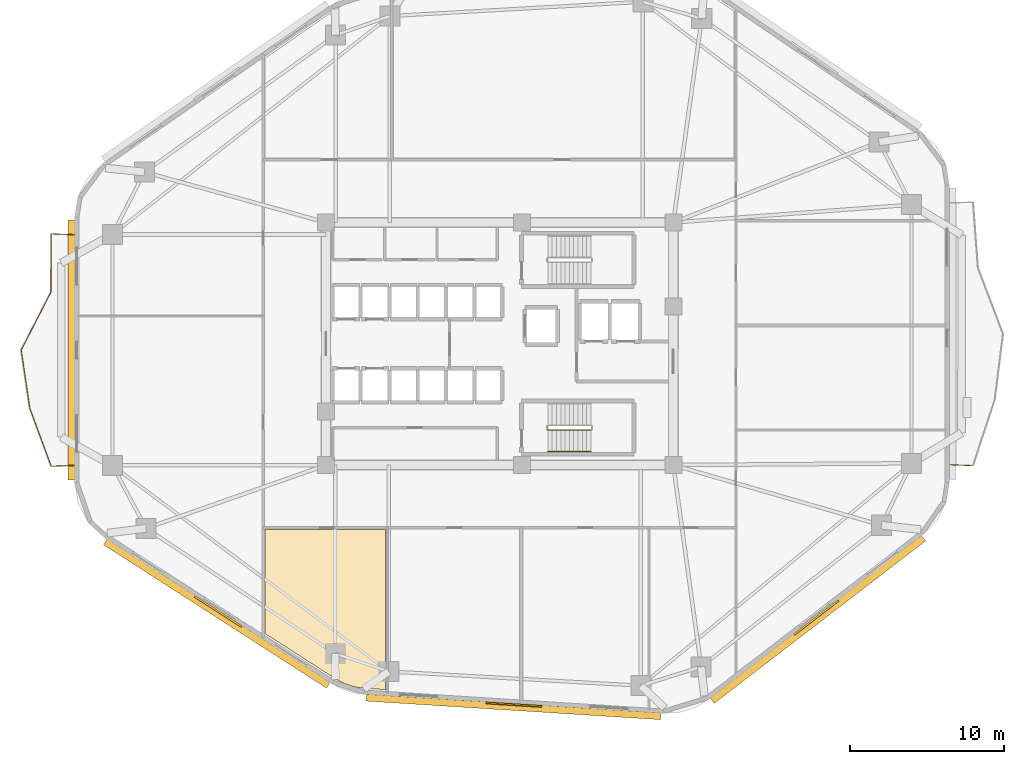
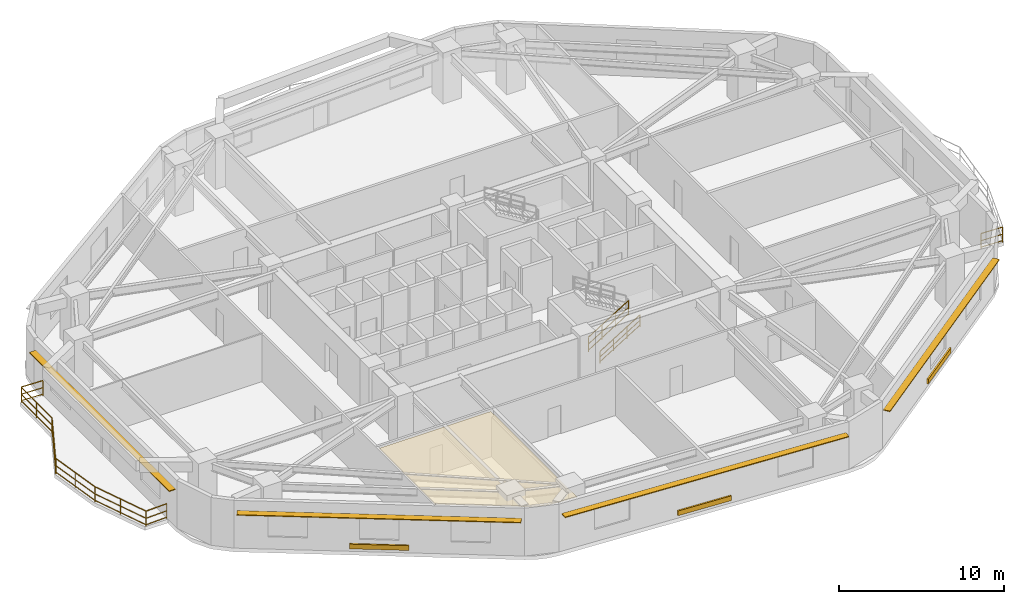
# One storey, part 7 of 9: 9 railings, 7 shading devices, 1 covering.
"""IFC4 building model written with IfcOpenShell, lengths in metres."""

from ifc_helpers import new_model, si_unit, direction, frame, origin, origin_2d, place, context, subcontext, project, spatial, polyline, rectangle, outline, extrude, material, layer, layer_set, type_object, element, save


model = new_model("IFC4")

# Units and contexts
model_context = context("Model", 3, precision=1e-05, world=origin(), true_north=direction((0.0, 1.0)))
body_context = subcontext(model_context, "Body", "Model", "MODEL_VIEW")
ifc_project = project(units=[si_unit("LENGTHUNIT", "METRE"), si_unit("AREAUNIT", "SQUARE_METRE"), si_unit("VOLUMEUNIT", "CUBIC_METRE"), si_unit("PLANEANGLEUNIT", "RADIAN"), si_unit("MASSUNIT", "GRAM", prefix="KILO")], contexts=[model_context])

# Site, building, storey
site_placement = place(None, origin())
site = spatial("IfcSite", under=ifc_project, at=site_placement, CompositionType="ELEMENT")
building_placement = place(site_placement, origin())
building = spatial("IfcBuilding", under=site, at=building_placement, Name="Zulverin Broadcast Headquarters", CompositionType="ELEMENT")
storey_placement = place(building_placement, frame((0.0, 0.0, 63.0)))
storey = spatial("IfcBuildingStorey", under=building, at=storey_placement, Name="L15", CompositionType="ELEMENT", Elevation=63.0)

# Covering
ifc_material_1 = material(Name="Perforated pale-metal acoustic baffle ceiling", Category="aluminium")
ifc_layer_1 = layer(ifc_material_1, 0.0400390625, Name="Perforated pale-metal acoustic baffle ceiling", Category="aluminium")
ifc_layer_set_1 = layer_set([ifc_layer_1], Name="Perforated pale-metal acoustic baffle ceiling")
covering_type = type_object("IfcCoveringType", Name="COV-CEIL-ACOU", PredefinedType="CEILING", material=ifc_layer_set_1)
covering_placement = place(storey_placement, frame((0.0, 0.0, 3.344970703125)))
element("IfcCovering", 1, at=covering_placement, inside=storey, type_object=covering_type, Name="L15 Acoustic Baffle Ceiling 03", PredefinedType="CEILING", context=body_context, shape_type="SweptSolid", body=[
    extrude(outline(polyline([(21.77197265625, 13.132080078125), (21.77197265625, 6.3759765625), (26.347900390625, 3.43603515625), (26.931884765625, 3.1279296875), (27.5439453125, 2.924072265625), (28.19189453125, 2.83203125), (29.580078125, 2.743896484375), (29.580078125, 13.132080078125), (21.77197265625, 13.132080078125)])), origin(), (0.0, 0.0, 1.0), 0.0400390625),
])

# Railings
ifc_material_2 = material(Name="Brushed stainless steel & laminated glass balustrade", Category="steel")
railing_type_1 = type_object("IfcRailingType", Name="RL-GUARD-1150", PredefinedType="GUARDRAIL", material=ifc_material_2)
railing_1_placement = place(storey_placement, frame((66.239990234375, 17.343505859375, 0.0)))
element("IfcRailing", 2, at=railing_1_placement, inside=storey, type_object=railing_type_1, Name="L15 Vertical-Forest Balcony Guardrail BAL_E Segment 01", PredefinedType="GUARDRAIL", context=body_context, shape_type="SweptSolid", body=[
    extrude(rectangle(XDim=0.048095703125, YDim=0.048095703125, at=origin_2d()), frame((0.0, 0.0, 1.1259765625), z_axis=(0.999174410196, -0.040626321628, 0.0), x_axis=(0.040626321628, 0.999174410196, 0.0)), (0.0, 0.0, 1.0), 1.46630859375),
    extrude(rectangle(XDim=0.0419921875, YDim=0.0419921875, at=origin_2d()), frame((0.0, 0.0, 0.597900390625), z_axis=(0.999174410196, -0.040626321628, 0.0), x_axis=(0.040626321628, 0.999174410196, 0.0)), (0.0, 0.0, 1.0), 1.46630859375),
    extrude(rectangle(XDim=0.0419921875, YDim=0.0419921875, at=origin_2d()), frame((0.0, 0.0, 0.1201171875), z_axis=(0.999174410196, -0.040626321628, 0.0), x_axis=(0.040626321628, 0.999174410196, 0.0)), (0.0, 0.0, 1.0), 1.46630859375),
    extrude(rectangle(XDim=0.0419921875, YDim=0.0419921875, at=origin_2d()), origin(), (0.0, 0.0, 1.0), 1.101806640625),
    extrude(rectangle(XDim=0.0419921875, YDim=0.0419921875, at=origin_2d()), frame((1.465087890625, -0.0595703125, 0.0)), (0.0, 0.0, 1.0), 1.101806640625),
])
railing_2_placement = place(storey_placement, frame((9.360107421875, 32.284423828125, 0.0)))
element("IfcRailing", 3, at=railing_2_placement, inside=storey, type_object=railing_type_1, Name="L15 Vertical-Forest Balcony Guardrail BAL_W Segment 01", PredefinedType="GUARDRAIL", context=body_context, shape_type="SweptSolid", body=[
    extrude(rectangle(XDim=0.048095703125, YDim=0.048095703125, at=origin_2d()), frame((0.0, 0.0, 1.1259765625), z_axis=(-0.999181155166, 0.040460093435, 0.0), x_axis=(-0.040460093435, -0.999181155166, 0.0)), (0.0, 0.0, 1.0), 1.46630859375),
    extrude(rectangle(XDim=0.0419921875, YDim=0.0419921875, at=origin_2d()), frame((0.0, 0.0, 0.597900390625), z_axis=(-0.999181155166, 0.040460093435, 0.0), x_axis=(-0.040460093435, -0.999181155166, 0.0)), (0.0, 0.0, 1.0), 1.46630859375),
    extrude(rectangle(XDim=0.0419921875, YDim=0.0419921875, at=origin_2d()), frame((0.0, 0.0, 0.1201171875), z_axis=(-0.999181155166, 0.040460093435, 0.0), x_axis=(-0.040460093435, -0.999181155166, 0.0)), (0.0, 0.0, 1.0), 1.46630859375),
    extrude(rectangle(XDim=0.0419921875, YDim=0.0419921875, at=origin_2d()), origin(), (0.0, 0.0, 1.0), 1.101806640625),
    extrude(rectangle(XDim=0.0419921875, YDim=0.0419921875, at=origin_2d()), frame((-1.465087890625, 0.059326171875, 0.0)), (0.0, 0.0, 1.0), 1.101806640625),
])
railing_3_placement = place(storey_placement, frame((7.8798828125, 32.329345703125, 0.0)))
element("IfcRailing", 4, at=railing_3_placement, inside=storey, type_object=railing_type_1, Name="L15 Vertical-Forest Balcony Guardrail BAL_W Segment 02", PredefinedType="GUARDRAIL", context=body_context, shape_type="SweptSolid", body=[
    extrude(rectangle(XDim=0.048095703125, YDim=0.048095703125, at=origin_2d()), frame((0.0, 0.0, 1.1259765625), z_axis=(-0.003911312976, -0.999992350786, 0.0), x_axis=(0.999992350786, -0.003911312976, 0.0)), (0.0, 0.0, 1.0), 3.7451171875),
    extrude(rectangle(XDim=0.0419921875, YDim=0.0419921875, at=origin_2d()), frame((0.0, 0.0, 0.597900390625), z_axis=(-0.003911312976, -0.999992350786, 0.0), x_axis=(0.999992350786, -0.003911312976, 0.0)), (0.0, 0.0, 1.0), 3.7451171875),
    extrude(rectangle(XDim=0.0419921875, YDim=0.0419921875, at=origin_2d()), frame((0.0, 0.0, 0.1201171875), z_axis=(-0.003911312976, -0.999992350786, 0.0), x_axis=(0.999992350786, -0.003911312976, 0.0)), (0.0, 0.0, 1.0), 3.7451171875),
    extrude(rectangle(XDim=0.0419921875, YDim=0.0419921875, at=origin_2d()), origin(), (0.0, 0.0, 1.0), 1.101806640625),
    extrude(rectangle(XDim=0.0419921875, YDim=0.0419921875, at=origin_2d()), frame((-0.00732421875, -1.87255859375, 0.0)), (0.0, 0.0, 1.0), 1.101806640625),
    extrude(rectangle(XDim=0.0419921875, YDim=0.0419921875, at=origin_2d()), frame((-0.0146484375, -3.7451171875, 0.0)), (0.0, 0.0, 1.0), 1.101806640625),
])
railing_4_placement = place(storey_placement, frame((7.8583984375, 28.555908203125, 0.0)))
element("IfcRailing", 5, at=railing_4_placement, inside=storey, type_object=railing_type_1, Name="L15 Vertical-Forest Balcony Guardrail BAL_W Segment 03", PredefinedType="GUARDRAIL", context=body_context, shape_type="SweptSolid", body=[
    extrude(rectangle(XDim=0.048095703125, YDim=0.048095703125, at=origin_2d()), frame((0.0, 0.0, 1.1259765625), z_axis=(-0.456186033924, -0.889884432077, 0.0), x_axis=(0.889884432077, -0.456186033924, 0.0)), (0.0, 0.0, 1.0), 4.21240234375),
    extrude(rectangle(XDim=0.0419921875, YDim=0.0419921875, at=origin_2d()), frame((0.0, 0.0, 0.597900390625), z_axis=(-0.456186033924, -0.889884432077, 0.0), x_axis=(0.889884432077, -0.456186033924, 0.0)), (0.0, 0.0, 1.0), 4.21240234375),
    extrude(rectangle(XDim=0.0419921875, YDim=0.0419921875, at=origin_2d()), frame((0.0, 0.0, 0.1201171875), z_axis=(-0.456186033924, -0.889884432077, 0.0), x_axis=(0.889884432077, -0.456186033924, 0.0)), (0.0, 0.0, 1.0), 4.21240234375),
    extrude(rectangle(XDim=0.0419921875, YDim=0.0419921875, at=origin_2d()), origin(), (0.0, 0.0, 1.0), 1.101806640625),
    extrude(rectangle(XDim=0.0419921875, YDim=0.0419921875, at=origin_2d()), frame((-0.9609375, -1.874267578125, 0.0)), (0.0, 0.0, 1.0), 1.101806640625),
    extrude(rectangle(XDim=0.0419921875, YDim=0.0419921875, at=origin_2d()), frame((-1.921630859375, -3.74853515625, 0.0)), (0.0, 0.0, 1.0), 1.101806640625),
])
railing_5_placement = place(storey_placement, frame((5.93212890625, 24.779296875, 0.0)))
element("IfcRailing", 6, at=railing_5_placement, inside=storey, type_object=railing_type_1, Name="L15 Vertical-Forest Balcony Guardrail BAL_W Segment 04", PredefinedType="GUARDRAIL", context=body_context, shape_type="SweptSolid", body=[
    extrude(rectangle(XDim=0.048095703125, YDim=0.048095703125, at=origin_2d()), frame((0.0, 0.0, 1.1259765625), z_axis=(0.146429483954, -0.989221110889, 0.0), x_axis=(0.989221110889, 0.146429483954, 0.0)), (0.0, 0.0, 1.0), 3.786376953125),
    extrude(rectangle(XDim=0.0419921875, YDim=0.0419921875, at=origin_2d()), frame((0.0, 0.0, 0.597900390625), z_axis=(0.146429483954, -0.989221110889, 0.0), x_axis=(0.989221110889, 0.146429483954, 0.0)), (0.0, 0.0, 1.0), 3.786376953125),
    extrude(rectangle(XDim=0.0419921875, YDim=0.0419921875, at=origin_2d()), frame((0.0, 0.0, 0.1201171875), z_axis=(0.146429483954, -0.989221110889, 0.0), x_axis=(0.989221110889, 0.146429483954, 0.0)), (0.0, 0.0, 1.0), 3.786376953125),
    extrude(rectangle(XDim=0.0419921875, YDim=0.0419921875, at=origin_2d()), origin(), (0.0, 0.0, 1.0), 1.101806640625),
    extrude(rectangle(XDim=0.0419921875, YDim=0.0419921875, at=origin_2d()), frame((0.27734375, -1.872802734375, 0.0)), (0.0, 0.0, 1.0), 1.101806640625),
    extrude(rectangle(XDim=0.0419921875, YDim=0.0419921875, at=origin_2d()), frame((0.554443359375, -3.74560546875, 0.0)), (0.0, 0.0, 1.0), 1.101806640625),
])
railing_6_placement = place(storey_placement, frame((6.493896484375, 21.004638671875, 0.0)))
element("IfcRailing", 7, at=railing_6_placement, inside=storey, type_object=railing_type_1, Name="L15 Vertical-Forest Balcony Guardrail BAL_W Segment 05", PredefinedType="GUARDRAIL", context=body_context, shape_type="SweptSolid", body=[
    extrude(rectangle(XDim=0.048095703125, YDim=0.048095703125, at=origin_2d()), frame((0.0, 0.0, 1.1259765625), z_axis=(0.345804522043, -0.93830657705, 0.0), x_axis=(0.93830657705, 0.345804522043, 0.0)), (0.0, 0.0, 1.0), 3.9931640625),
    extrude(rectangle(XDim=0.0419921875, YDim=0.0419921875, at=origin_2d()), frame((0.0, 0.0, 0.597900390625), z_axis=(0.345804522043, -0.93830657705, 0.0), x_axis=(0.93830657705, 0.345804522043, 0.0)), (0.0, 0.0, 1.0), 3.9931640625),
    extrude(rectangle(XDim=0.0419921875, YDim=0.0419921875, at=origin_2d()), frame((0.0, 0.0, 0.1201171875), z_axis=(0.345804522043, -0.93830657705, 0.0), x_axis=(0.93830657705, 0.345804522043, 0.0)), (0.0, 0.0, 1.0), 3.9931640625),
    extrude(rectangle(XDim=0.0419921875, YDim=0.0419921875, at=origin_2d()), origin(), (0.0, 0.0, 1.0), 1.101806640625),
    extrude(rectangle(XDim=0.0419921875, YDim=0.0419921875, at=origin_2d()), frame((0.6904296875, -1.87353515625, 0.0)), (0.0, 0.0, 1.0), 1.101806640625),
    extrude(rectangle(XDim=0.0419921875, YDim=0.0419921875, at=origin_2d()), frame((1.380859375, -3.746826171875, 0.0)), (0.0, 0.0, 1.0), 1.101806640625),
])
railing_7_placement = place(storey_placement, frame((7.89501953125, 17.244140625, 0.0)))
element("IfcRailing", 8, at=railing_7_placement, inside=storey, type_object=railing_type_1, Name="L15 Vertical-Forest Balcony Guardrail BAL_W Segment 06", PredefinedType="GUARDRAIL", context=body_context, shape_type="SweptSolid", body=[
    extrude(rectangle(XDim=0.048095703125, YDim=0.048095703125, at=origin_2d()), frame((0.0, 0.0, 1.1259765625), z_axis=(0.999174410196, 0.040626321628, 0.0), x_axis=(-0.040626321628, 0.999174410196, 0.0)), (0.0, 0.0, 1.0), 1.46630859375),
    extrude(rectangle(XDim=0.0419921875, YDim=0.0419921875, at=origin_2d()), frame((0.0, 0.0, 0.597900390625), z_axis=(0.999174410196, 0.040626321628, 0.0), x_axis=(-0.040626321628, 0.999174410196, 0.0)), (0.0, 0.0, 1.0), 1.46630859375),
    extrude(rectangle(XDim=0.0419921875, YDim=0.0419921875, at=origin_2d()), frame((0.0, 0.0, 0.1201171875), z_axis=(0.999174410196, 0.040626321628, 0.0), x_axis=(-0.040626321628, 0.999174410196, 0.0)), (0.0, 0.0, 1.0), 1.46630859375),
    extrude(rectangle(XDim=0.0419921875, YDim=0.0419921875, at=origin_2d()), origin(), (0.0, 0.0, 1.0), 1.101806640625),
    extrude(rectangle(XDim=0.0419921875, YDim=0.0419921875, at=origin_2d()), frame((1.465087890625, 0.0595703125, 0.0)), (0.0, 0.0, 1.0), 1.101806640625),
])
ifc_material_3 = material(Name="Painted galvanized steel tubular guardrail S355JR", Category="steel")
railing_type_2 = type_object("IfcRailingType", Name="RL-ST-GUARD", PredefinedType="GUARDRAIL", material=ifc_material_3)
railing_8_placement = place(storey_placement, frame((40.1298828125, 19.60009765625, 0.172607421875)))
element("IfcRailing", 9, at=railing_8_placement, inside=storey, type_object=railing_type_2, Name="L15 ST-2 stair guard 1", PredefinedType="GUARDRAIL", context=body_context, shape_type="SweptSolid", body=[
    extrude(rectangle(XDim=0.048095703125, YDim=0.048095703125, at=origin_2d()), frame((0.0, 0.0, 1.076171875), z_axis=(0.851089632645, 0.0, 0.525020415988), x_axis=(0.0, 1.0, 0.0)), (0.0, 0.0, 1.0), 3.2900390625),
    extrude(rectangle(XDim=0.0419921875, YDim=0.0419921875, at=origin_2d()), frame((0.0, 0.0, 0.572021484375), z_axis=(0.851089632645, 0.0, 0.525020415988), x_axis=(0.0, 1.0, 0.0)), (0.0, 0.0, 1.0), 3.2900390625),
    extrude(rectangle(XDim=0.0419921875, YDim=0.0419921875, at=origin_2d()), frame((0.0, 0.0, 0.1201171875), z_axis=(0.851089632645, 0.0, 0.525020415988), x_axis=(0.0, 1.0, 0.0)), (0.0, 0.0, 1.0), 3.2900390625),
    extrude(rectangle(XDim=0.0419921875, YDim=0.0419921875, at=origin_2d()), origin(), (0.0, 0.0, 1.0), 1.052001953125),
    extrude(rectangle(XDim=0.0419921875, YDim=0.0419921875, at=origin_2d()), frame((0.933349609375, 0.0, 0.57568359375)), (0.0, 0.0, 1.0), 1.052001953125),
    extrude(rectangle(XDim=0.0419921875, YDim=0.0419921875, at=origin_2d()), frame((1.86669921875, 0.0, 1.151611328125)), (0.0, 0.0, 1.0), 1.052001953125),
    extrude(rectangle(XDim=0.0419921875, YDim=0.0419921875, at=origin_2d()), frame((2.800048828125, 0.0, 1.727294921875)), (0.0, 0.0, 1.0), 1.052001953125),
])
ifc_material_4 = material(Name="Brushed stainless steel 48 mm handrail", Category="steel")
railing_type_3 = type_object("IfcRailingType", Name="RL-ST-HAND", PredefinedType="HANDRAIL", material=ifc_material_4)
railing_9_placement = place(storey_placement, frame((40.1298828125, 18.199951171875, 0.172607421875)))
element("IfcRailing", 10, at=railing_9_placement, inside=storey, type_object=railing_type_3, Name="L15 ST-2 stair handrail 1", PredefinedType="HANDRAIL", context=body_context, shape_type="SweptSolid", body=[
    extrude(rectangle(XDim=0.048095703125, YDim=0.048095703125, at=origin_2d()), frame((0.0, 0.0, 0.8759765625), z_axis=(0.851089632645, 0.0, 0.525020415988), x_axis=(0.0, 1.0, 0.0)), (0.0, 0.0, 1.0), 3.2900390625),
    extrude(rectangle(XDim=0.0419921875, YDim=0.0419921875, at=origin_2d()), frame((0.0, 0.0, 0.468017578125), z_axis=(0.851089632645, 0.0, 0.525020415988), x_axis=(0.0, 1.0, 0.0)), (0.0, 0.0, 1.0), 3.2900390625),
    extrude(rectangle(XDim=0.0419921875, YDim=0.0419921875, at=origin_2d()), frame((0.0, 0.0, 0.1201171875), z_axis=(0.851089632645, 0.0, 0.525020415988), x_axis=(0.0, 1.0, 0.0)), (0.0, 0.0, 1.0), 3.2900390625),
    extrude(rectangle(XDim=0.0419921875, YDim=0.0419921875, at=origin_2d()), origin(), (0.0, 0.0, 1.0), 0.851806640625),
    extrude(rectangle(XDim=0.0419921875, YDim=0.0419921875, at=origin_2d()), frame((0.933349609375, 0.0, 0.57568359375)), (0.0, 0.0, 1.0), 0.851806640625),
    extrude(rectangle(XDim=0.0419921875, YDim=0.0419921875, at=origin_2d()), frame((1.86669921875, 0.0, 1.151611328125)), (0.0, 0.0, 1.0), 0.851806640625),
    extrude(rectangle(XDim=0.0419921875, YDim=0.0419921875, at=origin_2d()), frame((2.800048828125, 0.0, 1.727294921875)), (0.0, 0.0, 1.0), 0.851806640625),
])

# Shading devices
ifc_material_5 = material(Name="Anodized pale-metal aluminium acoustic louvre", Category="aluminium")
shading_device_type_1 = type_object("IfcShadingDeviceType", Name="SHD-LOUVRE-350", PredefinedType="USERDEFINED", material=ifc_material_5)
for number, where, z_axis, x_axis, name in (
    (11, (37.9189453125, 1.775390625, 0.244873046875), (0.0, 0.0, 1.0), (0.998017182581, -0.062942062821, 0.0), "L15 Spandrel Intake Louvre 1"),
    (12, (57.56103515625, 7.425048828125, 0.244873046875), (0.0, 0.0, 1.0), (0.792933468586, 0.609308226102, 0.0), "L15 Spandrel Intake Louvre 2"),
    (13, (18.71630859375, 7.816162109375, 0.244873046875), (0.0, 0.0, 1.0), (0.841296678234, -0.540573676007, 0.0), "L15 Spandrel Intake Louvre 8"),
):
    element("IfcShadingDevice", number, at=place(storey_placement, frame(where, z_axis=z_axis, x_axis=x_axis)), inside=storey, type_object=shading_device_type_1, Name=name, ObjectType="LOUVRE", PredefinedType="USERDEFINED", context=body_context, shape_type="SweptSolid", body=[
        extrude(rectangle(XDim=3.60009765625, YDim=0.1201171875, at=origin_2d()), origin(), (0.0, 0.0, 1.0), 0.35009765625),
    ])
ifc_material_6 = material(Name="Anodized pale-metal aluminium sunshade", Category="aluminium")
ifc_layer_2 = layer(ifc_material_6, 0.06005859375, Name="Anodized pale-metal aluminium sunshade", Category="aluminium")
ifc_layer_set_2 = layer_set([ifc_layer_2], Name="Anodized pale-metal aluminium sunshade")
shading_device_type_2 = type_object("IfcShadingDeviceType", Name="SS-01_PALE_METAL_ALUMINIUM_SUNSHADE", PredefinedType="USERDEFINED", material=ifc_layer_set_2)
shading_device_1_placement = place(storey_placement, frame((37.908935546875, 1.61572265625, 2.7099609375), z_axis=(0.0, 0.0, 1.0), x_axis=(0.998017182581, -0.062942062821, 0.0)))
element("IfcShadingDevice", 14, at=shading_device_1_placement, inside=storey, type_object=shading_device_type_2, Name="L15 Horizontal Pale-Metal Sunshade Band 1", ObjectType="SUNSHADE", PredefinedType="USERDEFINED", context=body_context, shape_type="SweptSolid", body=[
    extrude(rectangle(XDim=19.177001953125, YDim=0.449951171875, at=origin_2d()), origin(), (0.0, 0.0, 1.0), 0.06005859375),
])
shading_device_2_placement = place(storey_placement, frame((57.658447265625, 7.29833984375, 2.7099609375), z_axis=(0.0, 0.0, 1.0), x_axis=(0.792933468586, 0.609308226102, 0.0)))
element("IfcShadingDevice", 15, at=shading_device_2_placement, inside=storey, type_object=shading_device_type_2, Name="L15 Horizontal Pale-Metal Sunshade Band 2", ObjectType="SUNSHADE", PredefinedType="USERDEFINED", context=body_context, shape_type="SweptSolid", body=[
    extrude(rectangle(XDim=17.312744140625, YDim=0.449951171875, at=origin_2d()), origin(), (0.0, 0.0, 1.0), 0.06005859375),
])
shading_device_3_placement = place(storey_placement, frame((9.199951171875, 24.7939453125, 2.7099609375), z_axis=(0.0, 0.0, 1.0), x_axis=(0.0, -1.0, 0.0)))
element("IfcShadingDevice", 16, at=shading_device_3_placement, inside=storey, type_object=shading_device_type_2, Name="L15 Horizontal Pale-Metal Sunshade Band 7", ObjectType="SUNSHADE", PredefinedType="USERDEFINED", context=body_context, shape_type="SweptSolid", body=[
    extrude(rectangle(XDim=16.90087890625, YDim=0.449951171875, at=origin_2d()), origin(), (0.0, 0.0, 1.0), 0.06005859375),
])
shading_device_4_placement = place(storey_placement, frame((18.6298828125, 7.681640625, 2.7099609375), z_axis=(0.0, 0.0, 1.0), x_axis=(0.841296678234, -0.540573676007, 0.0)))
element("IfcShadingDevice", 17, at=shading_device_4_placement, inside=storey, type_object=shading_device_type_2, Name="L15 Horizontal Pale-Metal Sunshade Band 8", ObjectType="SUNSHADE", PredefinedType="USERDEFINED", context=body_context, shape_type="SweptSolid", body=[
    extrude(rectangle(XDim=17.2119140625, YDim=0.449951171875, at=origin_2d()), origin(), (0.0, 0.0, 1.0), 0.06005859375),
])

save(model, "model.ifc")
